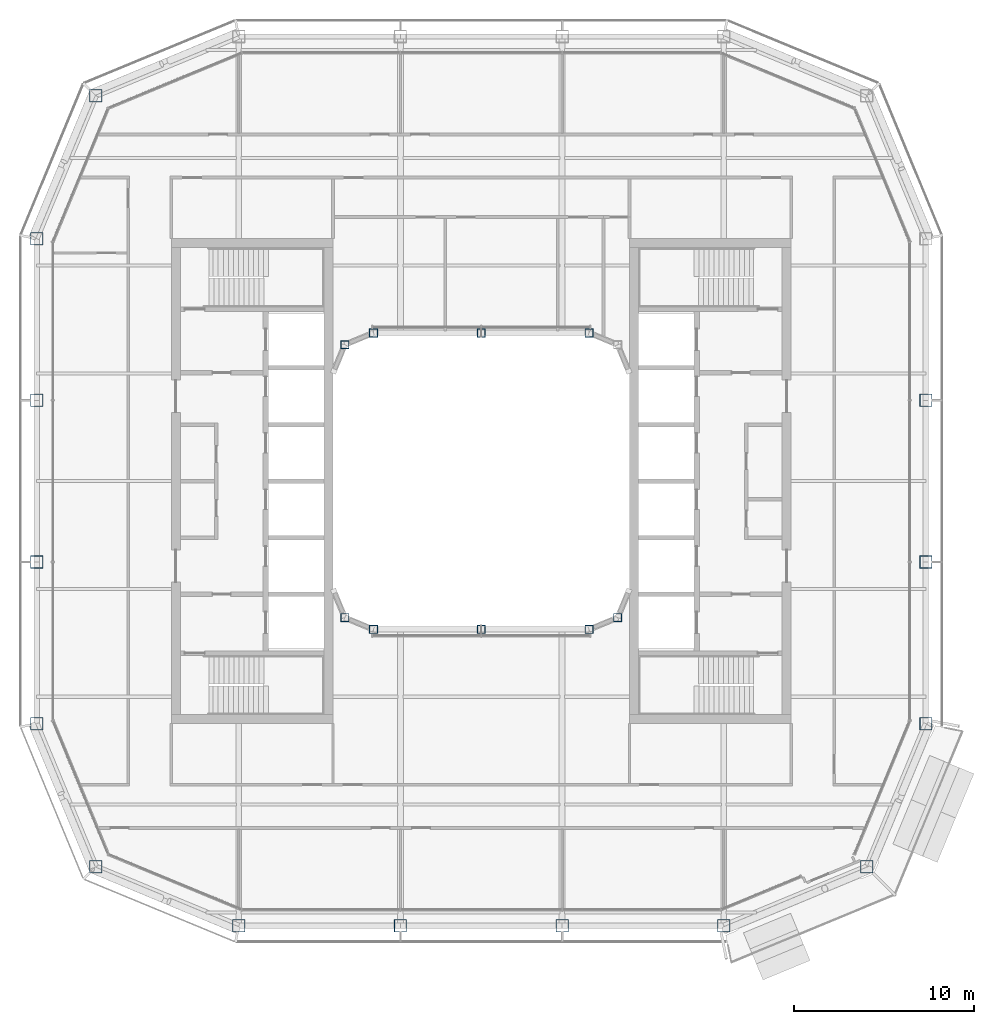
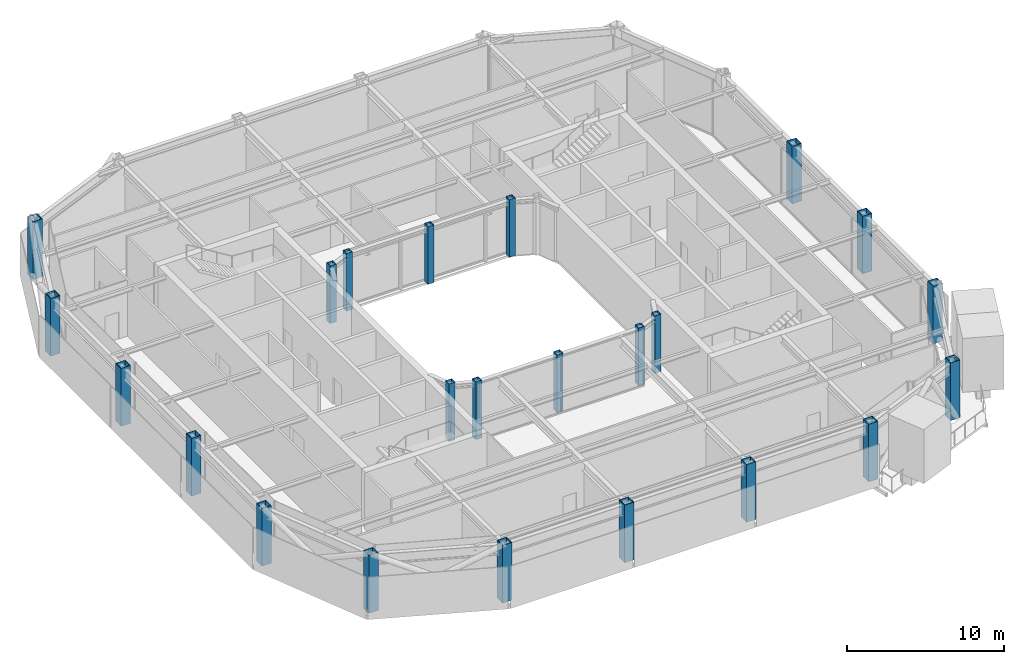
# One storey, part 1 of 21: 23 columns.
"""IFC4 building model written with IfcOpenShell, lengths in metres."""

from ifc_helpers import new_model, si_unit, direction, frame, origin, origin_2d, place, context, subcontext, project, spatial, hollow_rectangle, extrude, material, material_profile, profile_set, type_object, element, save


model = new_model("IFC4")

# Units and contexts
model_context = context("Model", 3, precision=1e-05, world=origin(), true_north=direction((0.0, 1.0)))
body_context = subcontext(model_context, "Body", "Model", "MODEL_VIEW")
ifc_project = project(units=[si_unit("LENGTHUNIT", "METRE"), si_unit("AREAUNIT", "SQUARE_METRE"), si_unit("VOLUMEUNIT", "CUBIC_METRE"), si_unit("PLANEANGLEUNIT", "RADIAN"), si_unit("MASSUNIT", "GRAM", prefix="KILO")], contexts=[model_context])

# Site, building, storey
site_placement = place(None, origin())
site = spatial("IfcSite", under=ifc_project, at=site_placement, CompositionType="ELEMENT")
building_placement = place(site_placement, origin())
building = spatial("IfcBuilding", under=site, at=building_placement, Name="Siwar Civic Tower", CompositionType="ELEMENT")
storey_placement = place(building_placement, frame((0.0, 0.0, 339.199951171875)))
storey = spatial("IfcBuildingStorey", under=building, at=storey_placement, Name="L73", CompositionType="ELEMENT", Elevation=339.199951171875)

# Columns
ifc_material_1 = material(Name="Steel S355", Category="steel")
ifc_material_profile_1 = material_profile(ifc_material_1, hollow_rectangle(XDim=0.699951171875, YDim=0.699951171875, WallThickness=0.035888671875, at=origin_2d()), Name="BOX700x700x36")
ifc_profile_set_1 = profile_set([ifc_material_profile_1], Name="Steel S355")
column_type_1 = type_object("IfcColumnType", Name="STR-COL-BOX700x700x36", PredefinedType="COLUMN", material=ifc_profile_set_1)
for number, where, z_axis, x_axis, name in (
    (1, (-13.5, -24.75, 0.0), (0.0, 0.0, 1.0), (1.0, 0.0, 0.0), "L73/col/S-0"),
    (2, (-4.5, -24.75, 0.0), (0.0, 0.0, 1.0), (1.0, 0.0, 0.0), "L73/col/S-1"),
    (3, (4.5, -24.75, 0.0), (0.0, 0.0, 1.0), (1.0, 0.0, 0.0), "L73/col/S-2"),
    (4, (13.5, -24.75, 0.0), (0.0, 0.0, 1.0), (1.0, 0.0, 0.0), "L73/col/SE1-0"),
    (5, (21.454833984375, -21.454833984375, 0.0), (0.0, 0.0, 1.0), (1.0, 0.0, 0.0), "L73/col/SE2-0"),
    (6, (24.75, -13.5, 0.0), (0.0, 0.0, 1.0), (1.0, 0.0, 0.0), "L73/col/E-0"),
    (7, (24.75, -4.5, 0.0), (0.0, 0.0, 1.0), (1.0, 0.0, 0.0), "L73/col/E-1"),
    (8, (24.75, 4.5, 0.0), (0.0, 0.0, 1.0), (1.0, 0.0, 0.0), "L73/col/E-2"),
    (9, (-21.454833984375, 21.454833984375, 0.0), (0.0, 0.0, 1.0), (1.0, 0.0, 0.0), "L73/col/NW2-0"),
    (10, (-24.75, 13.5, 0.0), (0.0, 0.0, 1.0), (1.0, 0.0, 0.0), "L73/col/W-0"),
    (11, (-24.75, 4.5, 0.0), (0.0, 0.0, 1.0), (1.0, 0.0, 0.0), "L73/col/W-1"),
    (12, (-24.75, -4.5, 0.0), (0.0, 0.0, 1.0), (1.0, 0.0, 0.0), "L73/col/W-2"),
    (13, (-24.75, -13.5, 0.0), (0.0, 0.0, 1.0), (1.0, 0.0, 0.0), "L73/col/SW1-0"),
    (14, (-21.454833984375, -21.454833984375, 0.0), (0.0, 0.0, 1.0), (1.0, 0.0, 0.0), "L73/col/SW2-0"),
):
    element("IfcColumn", number, at=place(storey_placement, frame(where, z_axis=z_axis, x_axis=x_axis)), inside=storey, type_object=column_type_1, Name=name, PredefinedType="COLUMN", context=body_context, shape_type="SweptSolid", body=[
        extrude(hollow_rectangle(XDim=0.699951171875, YDim=0.699951171875, WallThickness=0.035888671875, at=origin_2d()), origin(), (0.0, 0.0, 1.0), 4.5),
    ])
ifc_material_2 = material(Name="Steel S355", Category="steel")
ifc_material_profile_2 = material_profile(ifc_material_2, hollow_rectangle(XDim=0.449951171875, YDim=0.449951171875, WallThickness=0.02197265625, at=origin_2d()), Name="BOX450x450x22")
ifc_profile_set_2 = profile_set([ifc_material_profile_2], Name="Steel S355")
column_type_2 = type_object("IfcColumnType", Name="STR-ICOL-BOX450x450x22", PredefinedType="COLUMN", material=ifc_profile_set_2)
for number, where, z_axis, x_axis, name in (
    (15, (-7.591064453125, -7.591064453125, 0.0), (0.0, 0.0, 1.0), (1.0, 0.0, 0.0), "L73/col/IS-0"),
    (16, (-6.0, -8.25, 0.0), (0.0, 0.0, 1.0), (1.0, 0.0, 0.0), "L73/col/IS-1"),
    (17, (0.0, -8.25, 0.0), (0.0, 0.0, 1.0), (1.0, 0.0, 0.0), "L73/col/IS-2"),
    (18, (6.0, -8.25, 0.0), (0.0, 0.0, 1.0), (1.0, 0.0, 0.0), "L73/col/IS-3"),
    (19, (7.591064453125, -7.591064453125, 0.0), (0.0, 0.0, 1.0), (1.0, 0.0, 0.0), "L73/col/IS-4"),
    (20, (-7.591064453125, 7.591064453125, 0.0), (0.0, 0.0, 1.0), (1.0, 0.0, 0.0), "L73/col/IN-0"),
    (21, (-6.0, 8.25, 0.0), (0.0, 0.0, 1.0), (1.0, 0.0, 0.0), "L73/col/IN-1"),
    (22, (0.0, 8.25, 0.0), (0.0, 0.0, 1.0), (1.0, 0.0, 0.0), "L73/col/IN-2"),
    (23, (6.0, 8.25, 0.0), (0.0, 0.0, 1.0), (1.0, 0.0, 0.0), "L73/col/IN-3"),
):
    element("IfcColumn", number, at=place(storey_placement, frame(where, z_axis=z_axis, x_axis=x_axis)), inside=storey, type_object=column_type_2, Name=name, PredefinedType="COLUMN", context=body_context, shape_type="SweptSolid", body=[
        extrude(hollow_rectangle(XDim=0.449951171875, YDim=0.449951171875, WallThickness=0.02197265625, at=origin_2d()), origin(), (0.0, 0.0, 1.0), 4.5),
    ])

save(model, "model.ifc")
